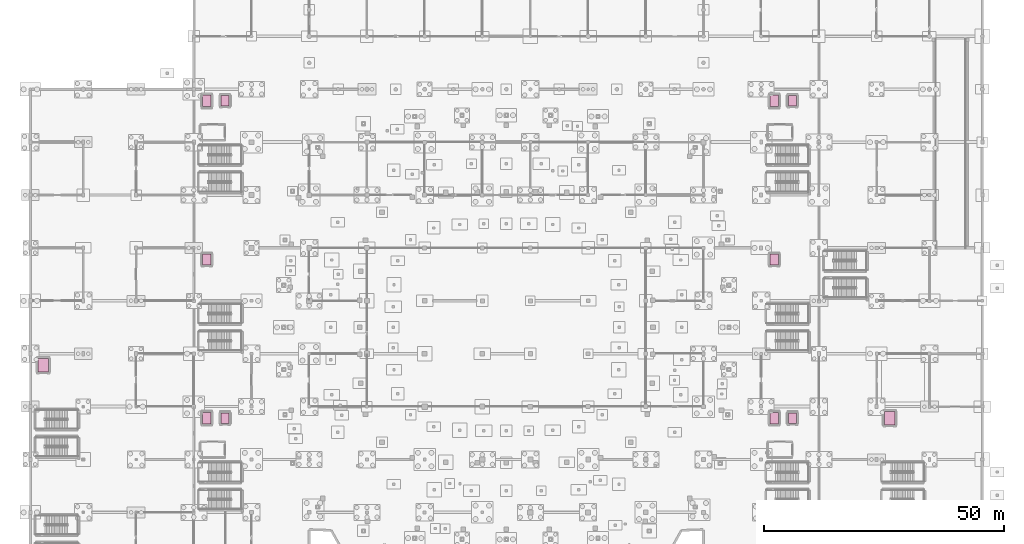
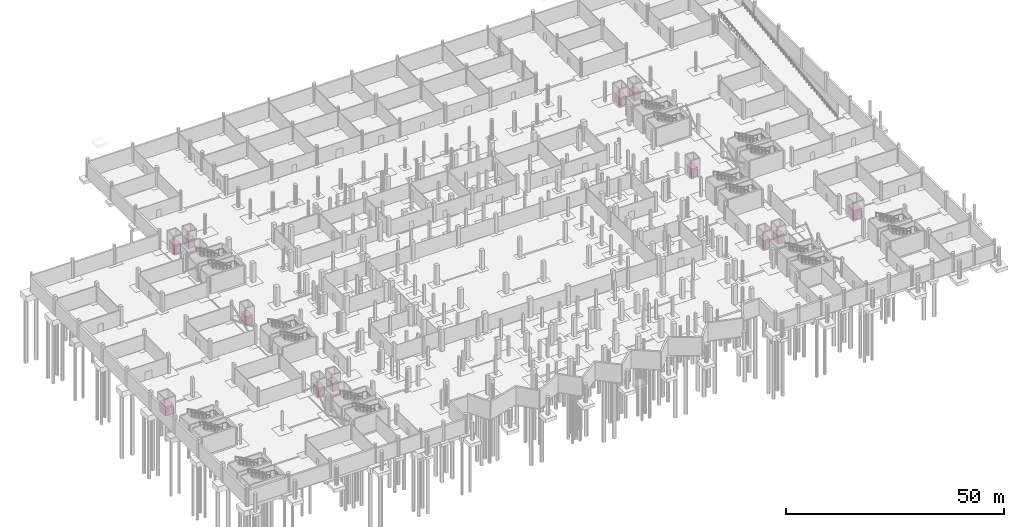
# One storey, part 60 of 60: 12 transport elements.
"""IFC4 building model written with IfcOpenShell, lengths in metres."""

from ifc_helpers import new_model, si_unit, direction, frame, origin, origin_2d, place, context, subcontext, project, spatial, rectangle, extrude, material, type_object, element, save


model = new_model("IFC4")

# Units and contexts
model_context = context("Model", 3, precision=1e-05, world=origin(), true_north=direction((0.0, 1.0)))
body_context = subcontext(model_context, "Body", "Model", "MODEL_VIEW")
ifc_project = project(units=[si_unit("LENGTHUNIT", "METRE"), si_unit("AREAUNIT", "SQUARE_METRE"), si_unit("VOLUMEUNIT", "CUBIC_METRE"), si_unit("PLANEANGLEUNIT", "RADIAN"), si_unit("MASSUNIT", "GRAM", prefix="KILO")], contexts=[model_context])

# Site, building, storey
site_placement = place(None, origin())
site = spatial("IfcSite", under=ifc_project, at=site_placement, CompositionType="ELEMENT")
building_placement = place(site_placement, origin())
building = spatial("IfcBuilding", under=site, at=building_placement, Name="Luwafu Chhajja Arena", CompositionType="ELEMENT")
storey_placement = place(building_placement, frame((0.0, 0.0, -5.39990234375)))
storey = spatial("IfcBuildingStorey", under=building, at=storey_placement, Name="B1", CompositionType="ELEMENT", Elevation=-5.39990234375)

# Transport elements
ifc_material = material(Name="Stainless steel lift car", Category="steel")
transport_element_type_1 = type_object("IfcTransportElementType", Name="Event Goods Lift 3500 kg", PredefinedType="ELEVATOR", material=ifc_material)
for number, where, z_axis, x_axis, name in (
    (1, (2.699951171875, 41.60009765625, 0.0), (0.0, 0.0, 1.0), (1.0, 0.0, 0.0), "Lift LF-11"),
    (2, (178.699951171875, 30.60009765625, 0.0), (0.0, 0.0, 1.0), (1.0, 0.0, 0.0), "Lift LF-12"),
):
    element("IfcTransportElement", number, at=place(storey_placement, frame(where, z_axis=z_axis, x_axis=x_axis)), inside=storey, type_object=transport_element_type_1, Name=name, PredefinedType="ELEVATOR", context=body_context, shape_type="SweptSolid", body=[
        extrude(rectangle(XDim=2.199951171875, YDim=2.800048828125, at=origin_2d()), origin(), (0.0, 0.0, 1.0), 2.550048828125),
    ])
transport_element_type_2 = type_object("IfcTransportElementType", Name="Firefighting Stretcher Lift 1800 kg", PredefinedType="ELEVATOR", material=ifc_material)
for number, where, z_axis, x_axis, name in (
    (3, (36.699951171875, 30.60009765625, 0.0), (0.0, 0.0, 1.0), (1.0, 0.0, 0.0), "Lift LF-01"),
    (4, (154.699951171875, 30.60009765625, 0.0), (0.0, 0.0, 1.0), (1.0, 0.0, 0.0), "Lift LF-02"),
    (5, (36.699951171875, 96.60009765625, 0.0), (0.0, 0.0, 1.0), (1.0, 0.0, 0.0), "Lift LF-03"),
    (6, (154.699951171875, 96.60009765625, 0.0), (0.0, 0.0, 1.0), (1.0, 0.0, 0.0), "Lift LF-04"),
):
    element("IfcTransportElement", number, at=place(storey_placement, frame(where, z_axis=z_axis, x_axis=x_axis)), inside=storey, type_object=transport_element_type_2, Name=name, PredefinedType="ELEVATOR", context=body_context, shape_type="SweptSolid", body=[
        extrude(rectangle(XDim=1.699951171875, YDim=2.449951171875, at=origin_2d()), origin(), (0.0, 0.0, 1.0), 2.39990234375),
    ])
transport_element_type_3 = type_object("IfcTransportElementType", Name="Public Passenger Lift 1600 kg", PredefinedType="ELEVATOR", material=ifc_material)
for number, where, z_axis, x_axis, name in (
    (7, (40.5, 30.60009765625, 0.0), (0.0, 0.0, 1.0), (1.0, 0.0, 0.0), "Lift LF-05"),
    (8, (158.5, 30.60009765625, 0.0), (0.0, 0.0, 1.0), (1.0, 0.0, 0.0), "Lift LF-06"),
    (9, (40.5, 96.60009765625, 0.0), (0.0, 0.0, 1.0), (1.0, 0.0, 0.0), "Lift LF-07"),
    (10, (158.5, 96.60009765625, 0.0), (0.0, 0.0, 1.0), (1.0, 0.0, 0.0), "Lift LF-08"),
    (11, (36.699951171875, 63.60009765625, 0.0), (0.0, 0.0, 1.0), (1.0, 0.0, 0.0), "Lift LF-09"),
    (12, (154.699951171875, 63.60009765625, 0.0), (0.0, 0.0, 1.0), (1.0, 0.0, 0.0), "Lift LF-10"),
):
    element("IfcTransportElement", number, at=place(storey_placement, frame(where, z_axis=z_axis, x_axis=x_axis)), inside=storey, type_object=transport_element_type_3, Name=name, PredefinedType="ELEVATOR", context=body_context, shape_type="SweptSolid", body=[
        extrude(rectangle(XDim=1.699951171875, YDim=2.199951171875, at=origin_2d()), origin(), (0.0, 0.0, 1.0), 2.39990234375),
    ])

save(model, "model.ifc")
